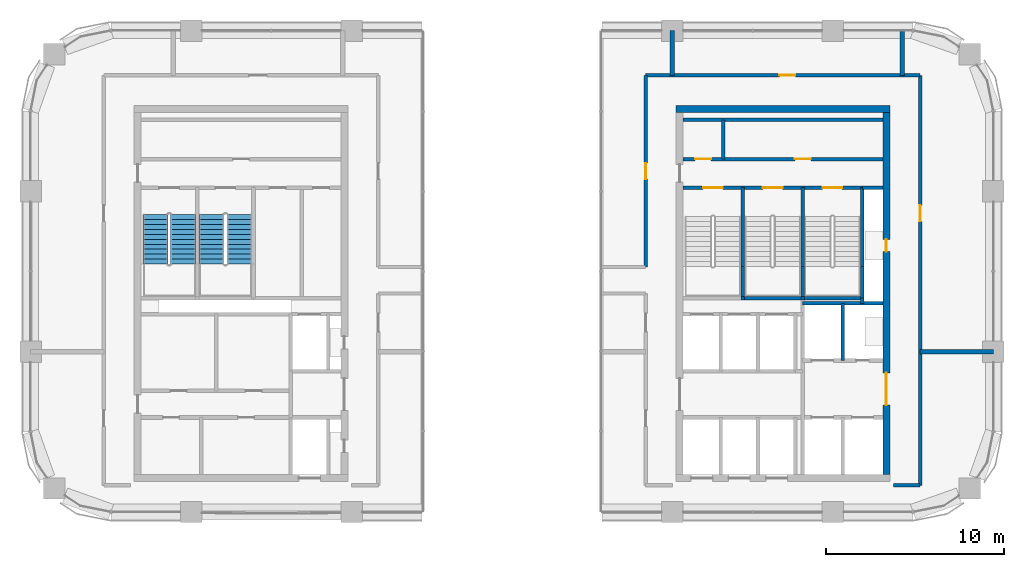
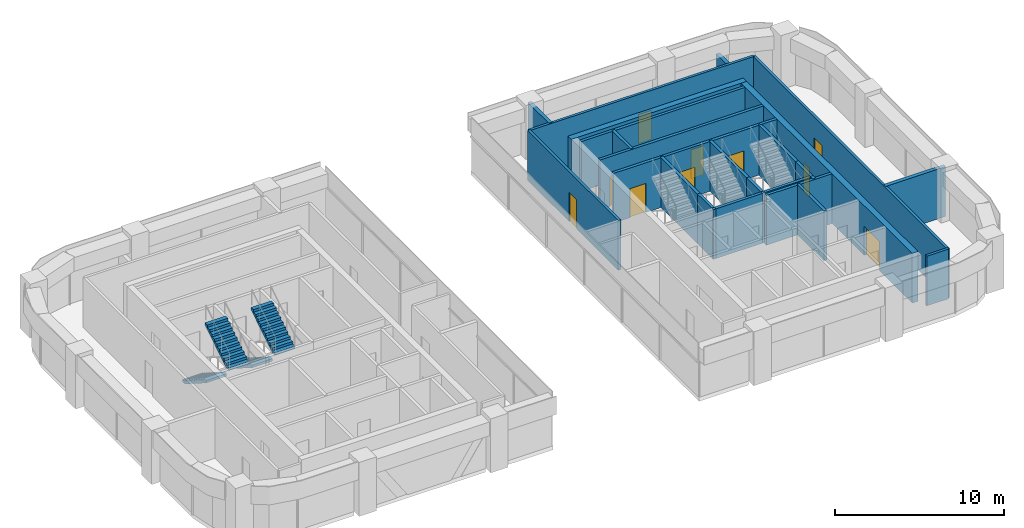
# One storey, part 8 of 11: 27 walls, 10 doors, 4 stair flights, 10 openings, 2 elements without a shape of their own.
"""IFC4 building model written with IfcOpenShell, lengths in metres."""

from ifc_helpers import new_model, si_unit, direction, frame, frame_2d, origin, place, context, subcontext, project, spatial, polyline, rectangle, outline, extrude, material, layer, layer_set, type_object, element, fill, aggregate, save


model = new_model("IFC4")

# Units and contexts
model_context = context("Model", 3, precision=1e-05, world=origin(), true_north=direction((0.0, 1.0)))
body_context = subcontext(model_context, "Body", "Model", "MODEL_VIEW")
ifc_project = project(units=[si_unit("LENGTHUNIT", "METRE"), si_unit("AREAUNIT", "SQUARE_METRE"), si_unit("VOLUMEUNIT", "CUBIC_METRE"), si_unit("PLANEANGLEUNIT", "RADIAN"), si_unit("MASSUNIT", "GRAM", prefix="KILO")], contexts=[model_context])

# Site, building, storey
site_placement = place(None, origin())
site = spatial("IfcSite", under=ifc_project, at=site_placement, CompositionType="ELEMENT")
building_placement = place(site_placement, origin())
building = spatial("IfcBuilding", under=site, at=building_placement, Name="Tessera Arch", CompositionType="ELEMENT")
storey_placement = place(building_placement, frame((0.0, 0.0, 211.10009765625)))
storey = spatial("IfcBuildingStorey", under=building, at=storey_placement, Name="L50", CompositionType="ELEMENT", Elevation=211.10009765625)

# Wall
ifc_material_1 = material(Name="Gypsum board on steel stud", Category="steel")
ifc_layer_1 = layer(ifc_material_1, 0.125)
ifc_layer_set_1 = layer_set([ifc_layer_1], Name="Core partition 125 EI 60")
wall_type_1 = type_object("IfcWallType", Name="Core partition 125 EI 60", PredefinedType="PARTITIONING", material=ifc_layer_set_1)
wall_1_placement = place(storey_placement, frame((38.840087890625, 46.800048828125, 0.0), z_axis=(0.0, 0.0, 1.0), x_axis=(0.0, 1.0, 0.0)))
element("IfcWall", 1, at=wall_1_placement, inside=storey, type_object=wall_type_1, Name="L50 C1 partition wall 3", PredefinedType="PARTITIONING", context=body_context, shape_type="SweptSolid", body=[
    extrude(rectangle(XDim=2.199951171875, YDim=0.199951171875, at=frame_2d((1.10009765625, 0.0))), origin(), (0.0, 0.0, 1.0), 3.599853515625),
])

# Wall, openings, doors
wall_2_placement = place(storey_placement, frame((36.60009765625, 46.800048828125, 0.0), z_axis=(0.0, 0.0, 1.0), x_axis=(1.0, 0.0, 0.0)))
wall_2 = element("IfcWall", 2, at=wall_2_placement, inside=storey, type_object=wall_type_1, Name="L50 C1 partition wall 31", PredefinedType="PARTITIONING", context=body_context, shape_type="SweptSolid", body=[
    extrude(rectangle(XDim=11.199951171875, YDim=0.199951171875, at=frame_2d((5.60009765625, 0.0))), origin(), (0.0, 0.0, 1.0), 3.599853515625),
])
opening_1_placement = place(wall_2_placement, frame((0.669921875, 0.0, 0.0)))
opening_1 = element("IfcOpeningElement", 3, at=opening_1_placement, cuts=wall_2, Name="Opening L50-C18", PredefinedType="OPENING", context=body_context, shape_type="SweptSolid", body=[
    extrude(rectangle(XDim=0.89990234375, YDim=2.10009765625, at=frame_2d((0.449951171875, 1.050048828125))), frame((0.0, 0.10986328125, 0.0), z_axis=(0.0, -1.0, 0.0), x_axis=(1.0, 0.0, 0.0)), (0.0, 0.0, 1.0), 0.219970703125),
])
opening_2_placement = place(wall_2_placement, frame((6.27001953125, 0.0, 0.0)))
opening_2 = element("IfcOpeningElement", 4, at=opening_2_placement, cuts=wall_2, Name="Opening L50-C19", PredefinedType="OPENING", context=body_context, shape_type="SweptSolid", body=[
    extrude(rectangle(XDim=0.89990234375, YDim=2.10009765625, at=frame_2d((0.449951171875, 1.050048828125))), frame((0.0, 0.10986328125, 0.0), z_axis=(0.0, -1.0, 0.0), x_axis=(1.0, 0.0, 0.0)), (0.0, 0.0, 1.0), 0.219970703125),
])
ifc_material_2 = material(Name="Steel door leaf", Category="steel")
door_type_1 = type_object("IfcDoorType", Name="Store door FD30S 900 x 2100", OperationType="SINGLE_SWING_LEFT", PredefinedType="DOOR", material=ifc_material_2)
door_1_placement = place(opening_1_placement, origin())
door_1 = element("IfcDoor", 5, at=door_1_placement, inside=storey, type_object=door_type_1, Name="L50 C1 door 18 C18 type D09", OperationType="SINGLE_SWING_LEFT", OverallHeight=2.10009765625, OverallWidth=0.89990234375, PredefinedType="DOOR", context=body_context, shape_type="SweptSolid", body=[
    extrude(rectangle(XDim=0.89990234375, YDim=2.10009765625, at=frame_2d((0.449951171875, 1.050048828125))), frame((0.0, 0.02490234375, 0.0), z_axis=(0.0, -1.0, 0.0), x_axis=(1.0, 0.0, 0.0)), (0.0, 0.0, 1.0), 0.050048828125),
])
fill(opening_1, door_1)
door_2_placement = place(opening_2_placement, origin())
door_2 = element("IfcDoor", 6, at=door_2_placement, inside=storey, type_object=door_type_1, Name="L50 C1 door 19 C19 type D09", OperationType="SINGLE_SWING_RIGHT", OverallHeight=2.10009765625, OverallWidth=0.89990234375, PredefinedType="DOOR", context=body_context, shape_type="SweptSolid", body=[
    extrude(rectangle(XDim=0.89990234375, YDim=2.10009765625, at=frame_2d((0.449951171875, 1.050048828125))), frame((0.0, 0.02490234375, 0.0), z_axis=(0.0, -1.0, 0.0), x_axis=(1.0, 0.0, 0.0)), (0.0, 0.0, 1.0), 0.050048828125),
])
fill(opening_2, door_2)

# Walls
wall_3_placement = place(storey_placement, frame((36.60009765625, 49.0, 0.0), z_axis=(0.0, 0.0, 1.0), x_axis=(1.0, 0.0, 0.0)))
element("IfcWall", 7, at=wall_3_placement, inside=storey, type_object=wall_type_1, Name="L50 C1 partition wall 32", PredefinedType="PARTITIONING", context=body_context, shape_type="SweptSolid", body=[
    extrude(rectangle(XDim=11.199951171875, YDim=0.199951171875, at=frame_2d((5.60009765625, 0.0))), origin(), (0.0, 0.0, 1.0), 3.599853515625),
])
ifc_material_3 = material(Name="Concrete C50/60", Category="concrete")
ifc_layer_2 = layer(ifc_material_3, 0.39990234375)
ifc_layer_set_2 = layer_set([ifc_layer_2], Name="Core shell wall 400 C50-60")
wall_type_2 = type_object("IfcWallType", Name="Core shell wall 400 C50-60", PredefinedType="SHEAR", material=ifc_layer_set_2)
wall_4_placement = place(storey_placement, frame((36.199951171875, 49.60009765625, 0.0), z_axis=(0.0, 0.0, 1.0), x_axis=(1.0, 0.0, 0.0)))
element("IfcWall", 8, at=wall_4_placement, inside=storey, type_object=wall_type_2, Name="L50 C1 core wall N", PredefinedType="SHEAR", context=body_context, shape_type="SweptSolid", body=[
    extrude(rectangle(XDim=12.0, YDim=0.39990234375, at=frame_2d((6.0, 0.0))), origin(), (0.0, 0.0, 1.0), 3.599853515625),
])

# Wall, openings, doors
wall_5_placement = place(storey_placement, frame((48.0, 29.10009765625, 0.0), z_axis=(0.0, 0.0, 1.0), x_axis=(0.0, 1.0, 0.0)))
wall_5 = element("IfcWall", 9, at=wall_5_placement, inside=storey, type_object=wall_type_2, Name="L50 C1 core wall E", PredefinedType="SHEAR", context=body_context, shape_type="SweptSolid", body=[
    extrude(rectangle(XDim=20.2998046875, YDim=0.39990234375, at=frame_2d((10.14990234375, 0.0))), origin(), (0.0, 0.0, 1.0), 3.599853515625),
])
opening_3_placement = place(wall_5_placement, frame((12.5, 0.0, 0.0)))
opening_3 = element("IfcOpeningElement", 10, at=opening_3_placement, cuts=wall_5, Name="Opening L50-C14", PredefinedType="OPENING", context=body_context, shape_type="SweptSolid", body=[
    extrude(rectangle(XDim=0.699951171875, YDim=2.10009765625, at=frame_2d((0.35009765625, 1.050048828125))), frame((0.0, 0.2099609375, 0.0), z_axis=(0.0, -1.0, 0.0), x_axis=(1.0, 0.0, 0.0)), (0.0, 0.0, 1.0), 0.419921875),
])
opening_4_placement = place(wall_5_placement, frame((3.89990234375, 0.0, 0.0)))
opening_4 = element("IfcOpeningElement", 11, at=opening_4_placement, cuts=wall_5, Name="Opening L50-C15", PredefinedType="OPENING", context=body_context, shape_type="SweptSolid", body=[
    extrude(rectangle(XDim=1.800048828125, YDim=2.10009765625, at=frame_2d((0.89990234375, 1.050048828125))), frame((0.0, 0.2099609375, 0.0), z_axis=(0.0, -1.0, 0.0), x_axis=(1.0, 0.0, 0.0)), (0.0, 0.0, 1.0), 0.419921875),
])
ifc_material_4 = material(Name="Glazed steel door leaf", Category="steel")
door_type_2 = type_object("IfcDoorType", Name="Lobby double door FD60 1800 x 2100", OperationType="DOUBLE_DOOR_SINGLE_SWING", PredefinedType="DOOR", material=ifc_material_4)
door_3_placement = place(opening_4_placement, origin())
door_3 = element("IfcDoor", 12, at=door_3_placement, inside=storey, type_object=door_type_2, Name="L50 C1 door 15 C15 type D19", OperationType="DOUBLE_DOOR_SINGLE_SWING", OverallHeight=2.10009765625, OverallWidth=1.800048828125, PredefinedType="DOOR", context=body_context, shape_type="SweptSolid", body=[
    extrude(rectangle(XDim=1.800048828125, YDim=2.10009765625, at=frame_2d((0.89990234375, 1.050048828125))), frame((0.0, 0.02490234375, 0.0), z_axis=(0.0, -1.0, 0.0), x_axis=(1.0, 0.0, 0.0)), (0.0, 0.0, 1.0), 0.050048828125),
])
fill(opening_4, door_3)
ifc_material_5 = material(Name="Steel door leaf", Category="steel")
door_type_3 = type_object("IfcDoorType", Name="Service shaft door FD60 700 x 2100", OperationType="SINGLE_SWING_LEFT", PredefinedType="DOOR", material=ifc_material_5)
door_4_placement = place(opening_3_placement, origin())
door_4 = element("IfcDoor", 13, at=door_4_placement, inside=storey, type_object=door_type_3, Name="L50 C1 door 14 C14 type D07", OperationType="SINGLE_SWING_RIGHT", OverallHeight=2.10009765625, OverallWidth=0.699951171875, PredefinedType="DOOR", context=body_context, shape_type="SweptSolid", body=[
    extrude(rectangle(XDim=0.699951171875, YDim=2.10009765625, at=frame_2d((0.35009765625, 1.050048828125))), frame((0.0, 0.02490234375, 0.0), z_axis=(0.0, -1.0, 0.0), x_axis=(1.0, 0.0, 0.0)), (0.0, 0.0, 1.0), 0.050048828125),
])
fill(opening_3, door_4)

# Wall
ifc_material_6 = material(Name="Gypsum board on deep steel stud with mineral wool", Category="steel")
ifc_layer_3 = layer(ifc_material_6, 0.175048828125)
ifc_layer_set_3 = layer_set([ifc_layer_3], Name="Corridor wall 175 EI 60")
wall_type_3 = type_object("IfcWallType", Name="Corridor wall 175 EI 60", PredefinedType="PARTITIONING", material=ifc_layer_set_3)
wall_6_placement = place(storey_placement, frame((48.39990234375, 28.5, 0.0), z_axis=(0.0, 0.0, 1.0), x_axis=(1.0, 0.0, 0.0)))
element("IfcWall", 14, at=wall_6_placement, inside=storey, type_object=wall_type_3, Name="L50 partition 4", PredefinedType="PARTITIONING", context=body_context, shape_type="SweptSolid", body=[
    extrude(rectangle(XDim=1.5, YDim=0.175048828125, at=frame_2d((0.75, 0.0))), origin(), (0.0, 0.0, 1.0), 3.599853515625),
])

# Wall, opening, door
wall_7_placement = place(storey_placement, frame((34.5, 51.5, 0.0), z_axis=(0.0, 0.0, 1.0), x_axis=(1.0, 0.0, 0.0)))
wall_7 = element("IfcWall", 15, at=wall_7_placement, inside=storey, type_object=wall_type_3, Name="L50 partition 10", PredefinedType="PARTITIONING", context=body_context, shape_type="SweptSolid", body=[
    extrude(rectangle(XDim=15.39990234375, YDim=0.175048828125, at=frame_2d((7.699951171875, 0.0))), origin(), (0.0, 0.0, 1.0), 3.599853515625),
])
opening_5_placement = place(wall_7_placement, frame((7.495849609375, 0.0, 0.0)))
opening_5 = element("IfcOpeningElement", 16, at=opening_5_placement, cuts=wall_7, Name="Opening L50-D010", PredefinedType="OPENING", context=body_context, shape_type="SweptSolid", body=[
    extrude(rectangle(XDim=0.89990234375, YDim=2.10009765625, at=frame_2d((0.449951171875, 1.050048828125))), frame((0.0, 0.097412109375, 0.0), z_axis=(0.0, -1.0, 0.0), x_axis=(1.0, 0.0, 0.0)), (0.0, 0.0, 1.0), 0.195068359375),
])
ifc_material_7 = material(Name="Timber door leaf", Category="wood")
door_type_4 = type_object("IfcDoorType", Name="Room door 900 x 2100", OperationType="SINGLE_SWING_LEFT", PredefinedType="DOOR", material=ifc_material_7)
door_5_placement = place(opening_5_placement, origin())
door_5 = element("IfcDoor", 17, at=door_5_placement, inside=storey, type_object=door_type_4, Name="L50 door D010 type D01", OperationType="SINGLE_SWING_RIGHT", OverallHeight=2.10009765625, OverallWidth=0.89990234375, PredefinedType="DOOR", context=body_context, shape_type="SweptSolid", body=[
    extrude(rectangle(XDim=0.89990234375, YDim=2.10009765625, at=frame_2d((0.449951171875, 1.050048828125))), frame((0.0, 0.02490234375, 0.0), z_axis=(0.0, -1.0, 0.0), x_axis=(1.0, 0.0, 0.0)), (0.0, 0.0, 1.0), 0.050048828125),
])
fill(opening_5, door_5)

wall_8_placement = place(storey_placement, frame((34.5, 40.75, 0.0), z_axis=(0.0, 0.0, 1.0), x_axis=(0.0, 1.0, 0.0)))
wall_8 = element("IfcWall", 18, at=wall_8_placement, inside=storey, type_object=wall_type_3, Name="L50 partition 15", PredefinedType="PARTITIONING", context=body_context, shape_type="SweptSolid", body=[
    extrude(rectangle(XDim=10.75, YDim=0.175048828125, at=frame_2d((5.375, 0.0))), origin(), (0.0, 0.0, 1.0), 3.599853515625),
])
opening_6_placement = place(wall_8_placement, frame((4.925048828125, 0.0, 0.0)))
opening_6 = element("IfcOpeningElement", 19, at=opening_6_placement, cuts=wall_8, Name="Opening L50-D007", PredefinedType="OPENING", context=body_context, shape_type="SweptSolid", body=[
    extrude(rectangle(XDim=0.89990234375, YDim=2.10009765625, at=frame_2d((0.449951171875, 1.050048828125))), frame((0.0, 0.097412109375, 0.0), z_axis=(0.0, -1.0, 0.0), x_axis=(1.0, 0.0, 0.0)), (0.0, 0.0, 1.0), 0.195068359375),
])
door_6_placement = place(opening_6_placement, origin())
door_6 = element("IfcDoor", 20, at=door_6_placement, inside=storey, type_object=door_type_4, Name="L50 door D007 type D01", OperationType="SINGLE_SWING_LEFT", OverallHeight=2.10009765625, OverallWidth=0.89990234375, PredefinedType="DOOR", context=body_context, shape_type="SweptSolid", body=[
    extrude(rectangle(XDim=0.89990234375, YDim=2.10009765625, at=frame_2d((0.449951171875, 1.050048828125))), frame((0.0, 0.02490234375, 0.0), z_axis=(0.0, -1.0, 0.0), x_axis=(1.0, 0.0, 0.0)), (0.0, 0.0, 1.0), 0.050048828125),
])
fill(opening_6, door_6)

wall_9_placement = place(storey_placement, frame((49.89990234375, 28.5, 0.0), z_axis=(0.0, 0.0, 1.0), x_axis=(0.0, 1.0, 0.0)))
wall_9 = element("IfcWall", 21, at=wall_9_placement, inside=storey, type_object=wall_type_3, Name="L50 partition 16", PredefinedType="PARTITIONING", context=body_context, shape_type="SweptSolid", body=[
    extrude(rectangle(XDim=23.0, YDim=0.175048828125, at=frame_2d((11.5, 0.0))), origin(), (0.0, 0.0, 1.0), 3.599853515625),
])
opening_7_placement = place(wall_9_placement, frame((14.800048828125, 0.0, 0.0)))
opening_7 = element("IfcOpeningElement", 22, at=opening_7_placement, cuts=wall_9, Name="Opening L50-D005", PredefinedType="OPENING", context=body_context, shape_type="SweptSolid", body=[
    extrude(rectangle(XDim=0.89990234375, YDim=2.10009765625, at=frame_2d((0.449951171875, 1.050048828125))), frame((0.0, 0.097412109375, 0.0), z_axis=(0.0, -1.0, 0.0), x_axis=(1.0, 0.0, 0.0)), (0.0, 0.0, 1.0), 0.195068359375),
])
door_7_placement = place(opening_7_placement, origin())
door_7 = element("IfcDoor", 23, at=door_7_placement, inside=storey, type_object=door_type_4, Name="L50 door D005 type D01", OperationType="SINGLE_SWING_RIGHT", OverallHeight=2.10009765625, OverallWidth=0.89990234375, PredefinedType="DOOR", context=body_context, shape_type="SweptSolid", body=[
    extrude(rectangle(XDim=0.89990234375, YDim=2.10009765625, at=frame_2d((0.449951171875, 1.050048828125))), frame((0.0, 0.02490234375, 0.0), z_axis=(0.0, -1.0, 0.0), x_axis=(1.0, 0.0, 0.0)), (0.0, 0.0, 1.0), 0.050048828125),
])
fill(opening_7, door_7)

# Walls
ifc_material_8 = material(Name="Double gypsum board on twin steel stud with acoustic mineral wool", Category="steel")
ifc_layer_4 = layer(ifc_material_8, 0.25)
ifc_layer_set_4 = layer_set([ifc_layer_4], Name="Party wall 250 EI 60")
wall_type_4 = type_object("IfcWallType", Name="Party wall 250 EI 60", PredefinedType="PARTITIONING", material=ifc_layer_set_4)
wall_10_placement = place(storey_placement, frame((49.89990234375, 36.0, 0.0), z_axis=(0.0, 0.0, 1.0), x_axis=(1.0, 0.0, 0.0)))
element("IfcWall", 24, at=wall_10_placement, inside=storey, type_object=wall_type_4, Name="L50 partition 20", PredefinedType="PARTITIONING", context=body_context, shape_type="SweptSolid", body=[
    extrude(rectangle(XDim=4.10009765625, YDim=0.25, at=frame_2d((2.050048828125, 0.0))), origin(), (0.0, 0.0, 1.0), 3.599853515625),
])
wall_11_placement = place(storey_placement, frame((36.0, 51.5, 0.0), z_axis=(0.0, 0.0, 1.0), x_axis=(0.0, 1.0, 0.0)))
element("IfcWall", 25, at=wall_11_placement, inside=storey, type_object=wall_type_4, Name="L50 partition 23", PredefinedType="PARTITIONING", context=body_context, shape_type="SweptSolid", body=[
    extrude(rectangle(XDim=2.5, YDim=0.25, at=frame_2d((1.25, 0.0))), origin(), (0.0, 0.0, 1.0), 3.599853515625),
])
wall_12_placement = place(storey_placement, frame((48.89208984375, 51.5, 0.0), z_axis=(0.0, 0.0, 1.0), x_axis=(0.0, 1.0, 0.0)))
element("IfcWall", 26, at=wall_12_placement, inside=storey, type_object=wall_type_4, Name="L50 partition 24", PredefinedType="PARTITIONING", context=body_context, shape_type="SweptSolid", body=[
    extrude(rectangle(XDim=2.5, YDim=0.25, at=frame_2d((1.25, 0.0))), origin(), (0.0, 0.0, 1.0), 2.599853515625),
])
ifc_material_9 = material(Name="Concrete C40/50", Category="concrete")
ifc_layer_5 = layer(ifc_material_9, 0.199951171875)
ifc_layer_set_5 = layer_set([ifc_layer_5], Name="Shaft wall 200 EI 120")
wall_type_5 = type_object("IfcWallType", Name="Shaft wall 200 EI 120", PredefinedType="SOLIDWALL", material=ifc_layer_set_5)
wall_13_placement = place(storey_placement, frame((45.550048828125, 35.5, 0.0), z_axis=(0.0, 0.0, 1.0), x_axis=(0.0, 1.0, 0.0)))
element("IfcWall", 27, at=wall_13_placement, inside=storey, type_object=wall_type_5, Name="L50 C1 shaft wall 14", PredefinedType="SOLIDWALL", context=body_context, shape_type="SweptSolid", body=[
    extrude(rectangle(XDim=3.199951171875, YDim=0.199951171875, at=frame_2d((1.60009765625, 0.0))), origin(), (0.0, 0.0, 1.0), 3.599853515625),
])
wall_14_placement = place(storey_placement, frame((46.64990234375, 38.699951171875, 0.0), z_axis=(0.0, 0.0, 1.0), x_axis=(0.0, 1.0, 0.0)))
element("IfcWall", 28, at=wall_14_placement, inside=storey, type_object=wall_type_5, Name="L50 C1 shaft wall 15", PredefinedType="SOLIDWALL", context=body_context, shape_type="SweptSolid", body=[
    extrude(rectangle(XDim=0.300048828125, YDim=0.199951171875, at=frame_2d((0.14990234375, 0.0))), origin(), (0.0, 0.0, 1.0), 3.599853515625),
])
wall_15_placement = place(storey_placement, frame((43.300048828125, 38.699951171875, 0.0), z_axis=(0.0, 0.0, 1.0), x_axis=(1.0, 0.0, 0.0)))
element("IfcWall", 29, at=wall_15_placement, inside=storey, type_object=wall_type_5, Name="L50 C1 shaft wall 23", PredefinedType="SOLIDWALL", context=body_context, shape_type="SweptSolid", body=[
    extrude(rectangle(XDim=4.5, YDim=0.199951171875, at=frame_2d((2.25, 0.0))), origin(), (0.0, 0.0, 1.0), 3.599853515625),
])
wall_16_placement = place(storey_placement, frame((46.64990234375, 45.199951171875, 0.0), z_axis=(0.0, 0.0, 1.0), x_axis=(1.0, 0.0, 0.0)))
element("IfcWall", 30, at=wall_16_placement, inside=storey, type_object=wall_type_5, Name="L50 C1 shaft wall 29", PredefinedType="SOLIDWALL", context=body_context, shape_type="SweptSolid", body=[
    extrude(rectangle(XDim=1.150146484375, YDim=0.199951171875, at=frame_2d((0.5751953125, 0.0))), origin(), (0.0, 0.0, 1.0), 3.599853515625),
])
ifc_material_10 = material(Name="Concrete C40/50", Category="concrete")
ifc_layer_6 = layer(ifc_material_10, 0.199951171875)
ifc_layer_set_6 = layer_set([ifc_layer_6], Name="Stair well wall 200 REI 180")
wall_type_6 = type_object("IfcWallType", Name="Stair well wall 200 REI 180", PredefinedType="SOLIDWALL", material=ifc_layer_set_6)
wall_17_placement = place(storey_placement, frame((39.949951171875, 39.0, 0.0), z_axis=(0.0, 0.0, 1.0), x_axis=(0.0, 1.0, 0.0)))
element("IfcWall", 31, at=wall_17_placement, inside=storey, type_object=wall_type_6, Name="L50 C1 shaft wall 4", PredefinedType="SOLIDWALL", context=body_context, shape_type="SweptSolid", body=[
    extrude(rectangle(XDim=1.780029296875, YDim=0.199951171875, at=frame_2d((0.89013671875, 0.0))), origin(), (0.0, 0.0, 1.0), 3.599853515625),
])
wall_18_placement = place(storey_placement, frame((39.949951171875, 40.780029296875, 0.0), z_axis=(0.0, 0.0, 1.0), x_axis=(0.0, 1.0, 0.0)))
element("IfcWall", 32, at=wall_18_placement, inside=storey, type_object=wall_type_6, Name="L50 C1 shaft wall 5", PredefinedType="SOLIDWALL", context=body_context, shape_type="SweptSolid", body=[
    extrude(rectangle(XDim=4.419921875, YDim=0.199951171875, at=frame_2d((2.2099609375, 0.0))), origin(), (0.0, 0.0, 1.0), 3.599853515625),
])
wall_19_placement = place(storey_placement, frame((43.300048828125, 39.0, 0.0), z_axis=(0.0, 0.0, 1.0), x_axis=(0.0, 1.0, 0.0)))
element("IfcWall", 33, at=wall_19_placement, inside=storey, type_object=wall_type_6, Name="L50 C1 shaft wall 11", PredefinedType="SOLIDWALL", context=body_context, shape_type="SweptSolid", body=[
    extrude(rectangle(XDim=1.780029296875, YDim=0.199951171875, at=frame_2d((0.89013671875, 0.0))), origin(), (0.0, 0.0, 1.0), 3.599853515625),
])
wall_20_placement = place(storey_placement, frame((43.300048828125, 40.780029296875, 0.0), z_axis=(0.0, 0.0, 1.0), x_axis=(0.0, 1.0, 0.0)))
element("IfcWall", 34, at=wall_20_placement, inside=storey, type_object=wall_type_6, Name="L50 C1 shaft wall 12", PredefinedType="SOLIDWALL", context=body_context, shape_type="SweptSolid", body=[
    extrude(rectangle(XDim=4.419921875, YDim=0.199951171875, at=frame_2d((2.2099609375, 0.0))), origin(), (0.0, 0.0, 1.0), 3.599853515625),
])
wall_21_placement = place(storey_placement, frame((46.64990234375, 39.0, 0.0), z_axis=(0.0, 0.0, 1.0), x_axis=(0.0, 1.0, 0.0)))
element("IfcWall", 35, at=wall_21_placement, inside=storey, type_object=wall_type_6, Name="L50 C1 shaft wall 16", PredefinedType="SOLIDWALL", context=body_context, shape_type="SweptSolid", body=[
    extrude(rectangle(XDim=1.780029296875, YDim=0.199951171875, at=frame_2d((0.89013671875, 0.0))), origin(), (0.0, 0.0, 1.0), 3.599853515625),
])
wall_22_placement = place(storey_placement, frame((46.64990234375, 40.780029296875, 0.0), z_axis=(0.0, 0.0, 1.0), x_axis=(0.0, 1.0, 0.0)))
element("IfcWall", 36, at=wall_22_placement, inside=storey, type_object=wall_type_6, Name="L50 C1 shaft wall 17", PredefinedType="SOLIDWALL", context=body_context, shape_type="SweptSolid", body=[
    extrude(rectangle(XDim=4.419921875, YDim=0.199951171875, at=frame_2d((2.2099609375, 0.0))), origin(), (0.0, 0.0, 1.0), 3.599853515625),
])
wall_23_placement = place(storey_placement, frame((39.85009765625, 39.0, 0.0), z_axis=(0.0, 0.0, 1.0), x_axis=(1.0, 0.0, 0.0)))
element("IfcWall", 37, at=wall_23_placement, inside=storey, type_object=wall_type_6, Name="L50 C1 shaft wall 25", PredefinedType="SOLIDWALL", context=body_context, shape_type="SweptSolid", body=[
    extrude(rectangle(XDim=0.199951171875, YDim=0.199951171875, at=frame_2d((0.10009765625, 0.0))), origin(), (0.0, 0.0, 1.0), 3.599853515625),
])
wall_24_placement = place(storey_placement, frame((40.050048828125, 39.0, 0.0), z_axis=(0.0, 0.0, 1.0), x_axis=(1.0, 0.0, 0.0)))
element("IfcWall", 38, at=wall_24_placement, inside=storey, type_object=wall_type_6, Name="L50 C1 shaft wall 26", PredefinedType="SOLIDWALL", context=body_context, shape_type="SweptSolid", body=[
    extrude(rectangle(XDim=3.14990234375, YDim=0.199951171875, at=frame_2d((1.574951171875, 0.0))), origin(), (0.0, 0.0, 1.0), 3.599853515625),
])
wall_25_placement = place(storey_placement, frame((43.199951171875, 39.0, 0.0), z_axis=(0.0, 0.0, 1.0), x_axis=(1.0, 0.0, 0.0)))
element("IfcWall", 39, at=wall_25_placement, inside=storey, type_object=wall_type_6, Name="L50 C1 shaft wall 27", PredefinedType="SOLIDWALL", context=body_context, shape_type="SweptSolid", body=[
    extrude(rectangle(XDim=0.199951171875, YDim=0.199951171875, at=frame_2d((0.10009765625, 0.0))), origin(), (0.0, 0.0, 1.0), 3.599853515625),
])
wall_26_placement = place(storey_placement, frame((43.39990234375, 39.0, 0.0), z_axis=(0.0, 0.0, 1.0), x_axis=(1.0, 0.0, 0.0)))
element("IfcWall", 40, at=wall_26_placement, inside=storey, type_object=wall_type_6, Name="L50 C1 shaft wall 28", PredefinedType="SOLIDWALL", context=body_context, shape_type="SweptSolid", body=[
    extrude(rectangle(XDim=3.25, YDim=0.199951171875, at=frame_2d((1.625, 0.0))), origin(), (0.0, 0.0, 1.0), 3.599853515625),
])

# Wall, openings, doors
wall_27_placement = place(storey_placement, frame((36.60009765625, 45.199951171875, 0.0), z_axis=(0.0, 0.0, 1.0), x_axis=(1.0, 0.0, 0.0)))
wall_27 = element("IfcWall", 41, at=wall_27_placement, inside=storey, type_object=wall_type_6, Name="L50 C1 shaft wall 30", PredefinedType="SOLIDWALL", context=body_context, shape_type="SweptSolid", body=[
    extrude(rectangle(XDim=10.0498046875, YDim=0.199951171875, at=frame_2d((5.02490234375, 0.0))), origin(), (0.0, 0.0, 1.0), 3.599853515625),
])
opening_8_placement = place(wall_27_placement, frame((1.125, 0.0, 0.0)))
opening_8 = element("IfcOpeningElement", 42, at=opening_8_placement, cuts=wall_27, Name="Opening L50-C11", PredefinedType="OPENING", context=body_context, shape_type="SweptSolid", body=[
    extrude(rectangle(XDim=1.10009765625, YDim=2.10009765625, at=frame_2d((0.550048828125, 1.050048828125))), frame((0.0, 0.10986328125, 0.0), z_axis=(0.0, -1.0, 0.0), x_axis=(1.0, 0.0, 0.0)), (0.0, 0.0, 1.0), 0.219970703125),
])
opening_9_placement = place(wall_27_placement, frame((4.47509765625, 0.0, 0.0)))
opening_9 = element("IfcOpeningElement", 43, at=opening_9_placement, cuts=wall_27, Name="Opening L50-C12", PredefinedType="OPENING", context=body_context, shape_type="SweptSolid", body=[
    extrude(rectangle(XDim=1.10009765625, YDim=2.10009765625, at=frame_2d((0.550048828125, 1.050048828125))), frame((0.0, 0.10986328125, 0.0), z_axis=(0.0, -1.0, 0.0), x_axis=(1.0, 0.0, 0.0)), (0.0, 0.0, 1.0), 0.219970703125),
])
opening_10_placement = place(wall_27_placement, frame((7.824951171875, 0.0, 0.0)))
opening_10 = element("IfcOpeningElement", 44, at=opening_10_placement, cuts=wall_27, Name="Opening L50-C13", PredefinedType="OPENING", context=body_context, shape_type="SweptSolid", body=[
    extrude(rectangle(XDim=1.10009765625, YDim=2.10009765625, at=frame_2d((0.550048828125, 1.050048828125))), frame((0.0, 0.10986328125, 0.0), z_axis=(0.0, -1.0, 0.0), x_axis=(1.0, 0.0, 0.0)), (0.0, 0.0, 1.0), 0.219970703125),
])
ifc_material_11 = material(Name="Steel door leaf", Category="steel")
door_type_5 = type_object("IfcDoorType", Name="Stair door FD60 1100 x 2100", OperationType="SINGLE_SWING_LEFT", PredefinedType="DOOR", material=ifc_material_11)
door_8_placement = place(opening_8_placement, origin())
door_8 = element("IfcDoor", 45, at=door_8_placement, inside=storey, type_object=door_type_5, Name="L50 C1 door 11 C11 type D05", OperationType="SINGLE_SWING_LEFT", OverallHeight=2.10009765625, OverallWidth=1.10009765625, PredefinedType="DOOR", context=body_context, shape_type="SweptSolid", body=[
    extrude(rectangle(XDim=1.10009765625, YDim=2.10009765625, at=frame_2d((0.550048828125, 1.050048828125))), frame((0.0, 0.02490234375, 0.0), z_axis=(0.0, -1.0, 0.0), x_axis=(1.0, 0.0, 0.0)), (0.0, 0.0, 1.0), 0.050048828125),
])
fill(opening_8, door_8)
door_9_placement = place(opening_9_placement, origin())
door_9 = element("IfcDoor", 46, at=door_9_placement, inside=storey, type_object=door_type_5, Name="L50 C1 door 12 C12 type D05", OperationType="SINGLE_SWING_RIGHT", OverallHeight=2.10009765625, OverallWidth=1.10009765625, PredefinedType="DOOR", context=body_context, shape_type="SweptSolid", body=[
    extrude(rectangle(XDim=1.10009765625, YDim=2.10009765625, at=frame_2d((0.550048828125, 1.050048828125))), frame((0.0, 0.02490234375, 0.0), z_axis=(0.0, -1.0, 0.0), x_axis=(1.0, 0.0, 0.0)), (0.0, 0.0, 1.0), 0.050048828125),
])
fill(opening_9, door_9)
door_10_placement = place(opening_10_placement, origin())
door_10 = element("IfcDoor", 47, at=door_10_placement, inside=storey, type_object=door_type_5, Name="L50 C1 door 13 C13 type D05", OperationType="SINGLE_SWING_RIGHT", OverallHeight=2.10009765625, OverallWidth=1.10009765625, PredefinedType="DOOR", context=body_context, shape_type="SweptSolid", body=[
    extrude(rectangle(XDim=1.10009765625, YDim=2.10009765625, at=frame_2d((0.550048828125, 1.050048828125))), frame((0.0, 0.02490234375, 0.0), z_axis=(0.0, -1.0, 0.0), x_axis=(1.0, 0.0, 0.0)), (0.0, 0.0, 1.0), 0.050048828125),
])
fill(opening_10, door_10)

# Stair, stair flights
ifc_material_12 = material(Name="Concrete C40/50", Category="concrete")
stair_type = type_object("IfcStairType", Name="Dogleg stair 1400", PredefinedType="HALF_TURN_STAIR", material=ifc_material_12)
stair_1_placement = place(storey_placement, origin())
stair_1 = element("IfcStair", 48, at=stair_1_placement, inside=storey, type_object=stair_type, Name="L50 S2a", PredefinedType="HALF_TURN_STAIR")
ifc_material_13 = material(Name="Concrete C40/50", Category="concrete")
stair_flight_type = type_object("IfcStairFlightType", Name="Stair flight 1400", PredefinedType="STRAIGHT", material=ifc_material_13)
stair_flight_1_placement = place(storey_placement, frame((7.0, 43.699951171875, 0.0), z_axis=(0.0, 0.0, 1.0), x_axis=(0.0, -1.0, 0.0)))
stair_flight_1 = element("IfcStairFlight", 49, at=stair_flight_1_placement, type_object=stair_flight_type, Name="S2a flight 1", NumberOfRisers=11, NumberOfTreads=10, PredefinedType="STRAIGHT", RiserHeight=0.177272727, TreadLength=0.28, context=body_context, shape_type="SweptSolid", body=[
    extrude(outline(polyline([(0.0, 0.0), (0.0, 0.17724609375), (0.280029296875, 0.17724609375), (0.280029296875, 0.3544921875), (0.56005859375, 0.3544921875), (0.56005859375, 0.53173828125), (0.840087890625, 0.53173828125), (0.840087890625, 0.708984375), (1.1201171875, 0.708984375), (1.1201171875, 0.886474609375), (1.39990234375, 0.886474609375), (1.39990234375, 1.063720703125), (1.679931640625, 1.063720703125), (1.679931640625, 1.240966796875), (1.9599609375, 1.240966796875), (1.9599609375, 1.418212890625), (2.239990234375, 1.418212890625), (2.239990234375, 1.595458984375), (2.52001953125, 1.595458984375), (2.52001953125, 1.772705078125), (2.800048828125, 1.772705078125), (2.800048828125, 1.949951171875), (2.800048828125, 1.59521484375), (0.2802734375, 0.0), (0.0, 0.0)])), frame((0.0, 0.699951171875, 0.0), z_axis=(0.0, -1.0, 0.0), x_axis=(1.0, 0.0, 0.0)), (0.0, 0.0, 1.0), 1.39990234375),
])
stair_flight_2_placement = place(storey_placement, frame((8.550048828125, 40.89990234375, 1.949951171875), z_axis=(0.0, 0.0, 1.0), x_axis=(0.0, 1.0, 0.0)))
stair_flight_2 = element("IfcStairFlight", 50, at=stair_flight_2_placement, type_object=stair_flight_type, Name="S2a flight 2", NumberOfRisers=11, NumberOfTreads=10, PredefinedType="STRAIGHT", RiserHeight=0.177272727, TreadLength=0.28, context=body_context, shape_type="SweptSolid", body=[
    extrude(outline(polyline([(0.0, 0.0), (0.0, 0.17724609375), (0.280029296875, 0.17724609375), (0.280029296875, 0.3544921875), (0.56005859375, 0.3544921875), (0.56005859375, 0.53173828125), (0.840087890625, 0.53173828125), (0.840087890625, 0.708984375), (1.1201171875, 0.708984375), (1.1201171875, 0.886474609375), (1.39990234375, 0.886474609375), (1.39990234375, 1.063720703125), (1.679931640625, 1.063720703125), (1.679931640625, 1.240966796875), (1.9599609375, 1.240966796875), (1.9599609375, 1.418212890625), (2.239990234375, 1.418212890625), (2.239990234375, 1.595458984375), (2.52001953125, 1.595458984375), (2.52001953125, 1.772705078125), (2.800048828125, 1.772705078125), (2.800048828125, 1.949951171875), (2.800048828125, 1.59521484375), (0.2802734375, 0.0), (0.0, 0.0)])), frame((0.0, 0.699951171875, 0.0), z_axis=(0.0, -1.0, 0.0), x_axis=(1.0, 0.0, 0.0)), (0.0, 0.0, 1.0), 1.39990234375),
])
aggregate(stair_1, [stair_flight_1, stair_flight_2])

stair_2_placement = place(storey_placement, origin())
stair_2 = element("IfcStair", 51, at=stair_2_placement, inside=storey, type_object=stair_type, Name="L50 S2b", PredefinedType="HALF_TURN_STAIR")
stair_flight_3_placement = place(storey_placement, frame((10.14990234375, 43.699951171875, 0.0), z_axis=(0.0, 0.0, 1.0), x_axis=(0.0, -1.0, 0.0)))
stair_flight_3 = element("IfcStairFlight", 52, at=stair_flight_3_placement, type_object=stair_flight_type, Name="S2b flight 1", NumberOfRisers=11, NumberOfTreads=10, PredefinedType="STRAIGHT", RiserHeight=0.177272727, TreadLength=0.28, context=body_context, shape_type="SweptSolid", body=[
    extrude(outline(polyline([(0.0, 0.0), (0.0, 0.17724609375), (0.280029296875, 0.17724609375), (0.280029296875, 0.3544921875), (0.56005859375, 0.3544921875), (0.56005859375, 0.53173828125), (0.840087890625, 0.53173828125), (0.840087890625, 0.708984375), (1.1201171875, 0.708984375), (1.1201171875, 0.886474609375), (1.39990234375, 0.886474609375), (1.39990234375, 1.063720703125), (1.679931640625, 1.063720703125), (1.679931640625, 1.240966796875), (1.9599609375, 1.240966796875), (1.9599609375, 1.418212890625), (2.239990234375, 1.418212890625), (2.239990234375, 1.595458984375), (2.52001953125, 1.595458984375), (2.52001953125, 1.772705078125), (2.800048828125, 1.772705078125), (2.800048828125, 1.949951171875), (2.800048828125, 1.59521484375), (0.2802734375, 0.0), (0.0, 0.0)])), frame((0.0, 0.699951171875, 0.0), z_axis=(0.0, -1.0, 0.0), x_axis=(1.0, 0.0, 0.0)), (0.0, 0.0, 1.0), 1.39990234375),
])
stair_flight_4_placement = place(storey_placement, frame((11.699951171875, 40.89990234375, 1.949951171875), z_axis=(0.0, 0.0, 1.0), x_axis=(0.0, 1.0, 0.0)))
stair_flight_4 = element("IfcStairFlight", 53, at=stair_flight_4_placement, type_object=stair_flight_type, Name="S2b flight 2", NumberOfRisers=11, NumberOfTreads=10, PredefinedType="STRAIGHT", RiserHeight=0.177272727, TreadLength=0.28, context=body_context, shape_type="SweptSolid", body=[
    extrude(outline(polyline([(0.0, 0.0), (0.0, 0.17724609375), (0.280029296875, 0.17724609375), (0.280029296875, 0.3544921875), (0.56005859375, 0.3544921875), (0.56005859375, 0.53173828125), (0.840087890625, 0.53173828125), (0.840087890625, 0.708984375), (1.1201171875, 0.708984375), (1.1201171875, 0.886474609375), (1.39990234375, 0.886474609375), (1.39990234375, 1.063720703125), (1.679931640625, 1.063720703125), (1.679931640625, 1.240966796875), (1.9599609375, 1.240966796875), (1.9599609375, 1.418212890625), (2.239990234375, 1.418212890625), (2.239990234375, 1.595458984375), (2.52001953125, 1.595458984375), (2.52001953125, 1.772705078125), (2.800048828125, 1.772705078125), (2.800048828125, 1.949951171875), (2.800048828125, 1.59521484375), (0.2802734375, 0.0), (0.0, 0.0)])), frame((0.0, 0.699951171875, 0.0), z_axis=(0.0, -1.0, 0.0), x_axis=(1.0, 0.0, 0.0)), (0.0, 0.0, 1.0), 1.39990234375),
])
aggregate(stair_2, [stair_flight_3, stair_flight_4])

save(model, "model.ifc")
